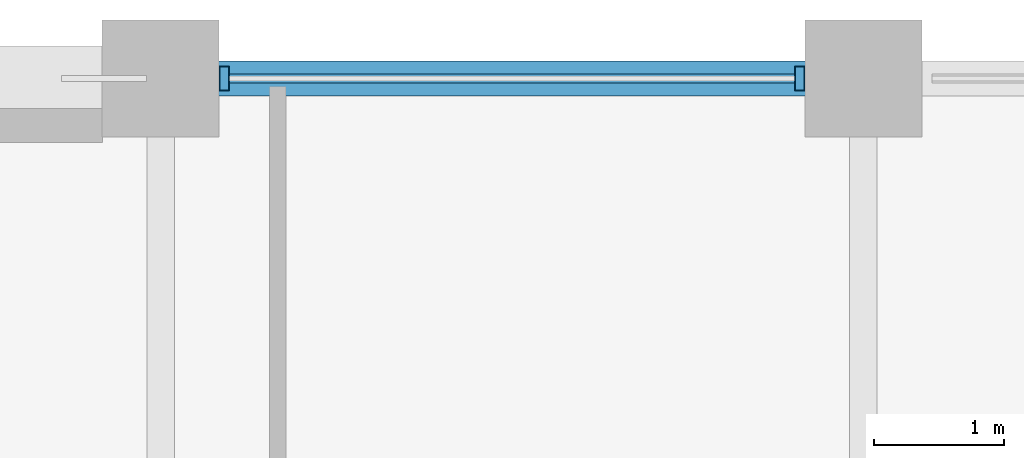
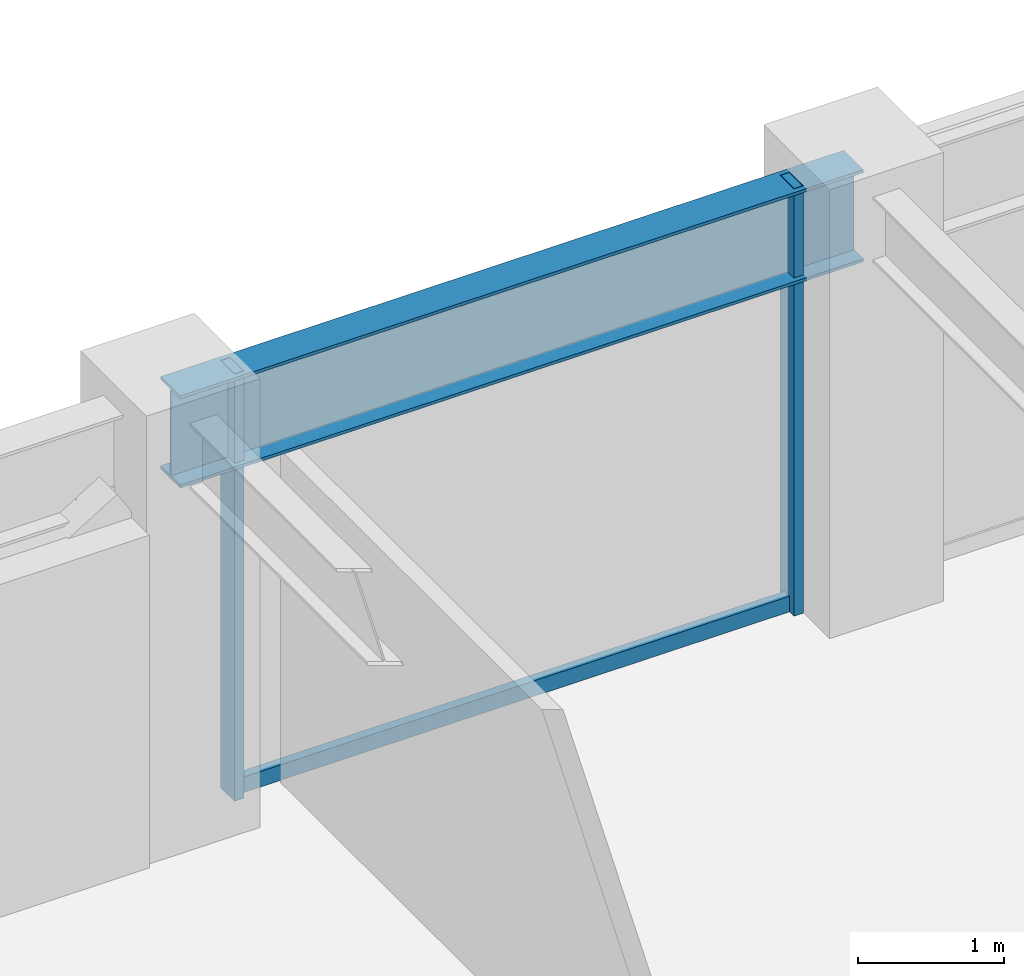
# One storey, part 22 of 32: 3 members, 1 beam, 1 element without a shape of its own.
"""IFC4 building model written with IfcOpenShell, lengths in metres."""

from ifc_helpers import new_model, si_unit, direction, frame, origin, origin_2d, place, context, subcontext, project, spatial, hollow_rectangle, i_section, extrude, material, layer, layer_set, material_profile, profile_set, type_object, element, aggregate, save


model = new_model("IFC4")

# Units and contexts
model_context = context("Model", 3, precision=1e-05, world=origin(), true_north=direction((0.0, 1.0)))
body_context = subcontext(model_context, "Body", "Model", "MODEL_VIEW")
ifc_project = project(units=[si_unit("LENGTHUNIT", "METRE"), si_unit("AREAUNIT", "SQUARE_METRE"), si_unit("VOLUMEUNIT", "CUBIC_METRE"), si_unit("PLANEANGLEUNIT", "RADIAN"), si_unit("MASSUNIT", "GRAM", prefix="KILO")], contexts=[model_context])

# Site, building, storey
site_placement = place(None, origin())
site = spatial("IfcSite", under=ifc_project, at=site_placement, CompositionType="ELEMENT")
building_placement = place(site_placement, origin())
building = spatial("IfcBuilding", under=site, at=building_placement, Name="Surkhivell Harbour Commons", CompositionType="ELEMENT")
storey_placement = place(building_placement, frame((0.0, 0.0, 186.0)))
storey = spatial("IfcBuildingStorey", under=building, at=storey_placement, Name="L48", CompositionType="ELEMENT", Elevation=186.0)

# Beam
ifc_material_1 = material(Name="Steel S355", Category="steel")
ifc_material_profile_1 = material_profile(ifc_material_1, i_section(OverallWidth=0.26806640625, OverallDepth=0.77001953125, WebThickness=0.015625, FlangeThickness=0.025390625, at=origin_2d()), Name="UB762x267x197")
ifc_profile_set_1 = profile_set([ifc_material_profile_1], Name="Steel S355")
beam_type = type_object("IfcBeamType", Name="BM-SPN-762", PredefinedType="SPANDREL", material=ifc_profile_set_1)
beam_placement = place(storey_placement, frame((5.39990234375, 25.89990234375, 3.18505859375), z_axis=(1.0, 0.0, 0.0), x_axis=(0.0, 1.0, 0.0)))
element("IfcBeam", 1, at=beam_placement, inside=storey, type_object=beam_type, Name="L48 Tube Spandrel (5.4,25.9)", PredefinedType="SPANDREL", context=body_context, shape_type="SweptSolid", body=[
    extrude(i_section(OverallWidth=0.26806640625, OverallDepth=0.77001953125, WebThickness=0.015625, FlangeThickness=0.025390625, at=origin_2d()), origin(), (0.0, 0.0, 1.0), 5.400146484375),
])

# Curtain wall, members
ifc_material_2 = material(Name="Anodised pale-metal aluminium and insulated glazing", Category="aluminium")
ifc_layer = layer(ifc_material_2, 0.18994140625)
ifc_layer_set = layer_set([ifc_layer], Name="Anodised pale-metal aluminium and insulated glazing")
curtain_wall_type = type_object("IfcCurtainWallType", Name="CW-SYS-Z3", PredefinedType="NOTDEFINED", material=ifc_layer_set)
curtain_wall_placement = place(storey_placement, origin())
curtain_wall = element("IfcCurtainWall", 2, at=curtain_wall_placement, inside=storey, type_object=curtain_wall_type, Name="L48 Curtain Wall CW-L48-E07S1", PredefinedType="NOTDEFINED")
ifc_material_3 = material(Name="Anodised pale-metal aluminium alloy 6063-T6", Category="aluminium")
ifc_material_profile_2 = material_profile(ifc_material_3, hollow_rectangle(XDim=0.074951171875, YDim=0.18994140625, WallThickness=0.00390625, at=origin_2d()), Name="ALU-MULL-75x190")
ifc_profile_set_2 = profile_set([ifc_material_profile_2], Name="Anodised pale-metal aluminium alloy 6063-T6")
member_type_1 = type_object("IfcMemberType", Name="CWM-190", PredefinedType="MULLION", material=ifc_profile_set_2)
member_1_placement = place(storey_placement, frame((10.310546875, 25.89990234375, 0.0), z_axis=(0.0, 0.0, 1.0), x_axis=(-1.0, 0.0, 0.0)))
member_1 = element("IfcMember", 3, at=member_1_placement, type_object=member_type_1, Name="CW-Z3 mullion 2", PredefinedType="MULLION", context=body_context, shape_type="SweptSolid", body=[
    extrude(hollow_rectangle(XDim=0.074951171875, YDim=0.18994140625, WallThickness=0.00390625, at=origin_2d()), origin(), (0.0, 0.0, 1.0), 3.570068359375),
])
member_2_placement = place(storey_placement, frame((5.889404296875, 25.89990234375, 0.0), z_axis=(0.0, 0.0, 1.0), x_axis=(-1.0, 0.0, 0.0)))
member_2 = element("IfcMember", 4, at=member_2_placement, type_object=member_type_1, Name="CW-Z3 mullion 3", PredefinedType="MULLION", context=body_context, shape_type="SweptSolid", body=[
    extrude(hollow_rectangle(XDim=0.074951171875, YDim=0.18994140625, WallThickness=0.00390625, at=origin_2d()), origin(), (0.0, 0.0, 1.0), 3.570068359375),
])
ifc_material_4 = material(Name="Champagne anodised aluminium alloy 6063-T6", Category="aluminium")
ifc_material_profile_3 = material_profile(ifc_material_4, hollow_rectangle(XDim=0.070068359375, YDim=0.1298828125, WallThickness=0.00341796875, at=origin_2d()), Name="ALU-TRAN-70x130")
ifc_profile_set_3 = profile_set([ifc_material_profile_3], Name="Champagne anodised aluminium alloy 6063-T6")
member_type_2 = type_object("IfcMemberType", Name="CWT-130", PredefinedType="USERDEFINED", material=ifc_profile_set_3)
member_3_placement = place(storey_placement, frame((10.27294921875, 25.89990234375, 0.06494140625), z_axis=(-1.0, 0.0, 0.0), x_axis=(0.0, -1.0, 0.0)))
member_3 = element("IfcMember", 5, at=member_3_placement, type_object=member_type_2, Name="CW-Z3 transom 2.1", ObjectType="TRANSOM", PredefinedType="USERDEFINED", context=body_context, shape_type="SweptSolid", body=[
    extrude(hollow_rectangle(XDim=0.070068359375, YDim=0.1298828125, WallThickness=0.00341796875, at=origin_2d()), origin(), (0.0, 0.0, 1.0), 4.345947265625),
])
aggregate(curtain_wall, [member_1, member_2, member_3])

save(model, "model.ifc")
